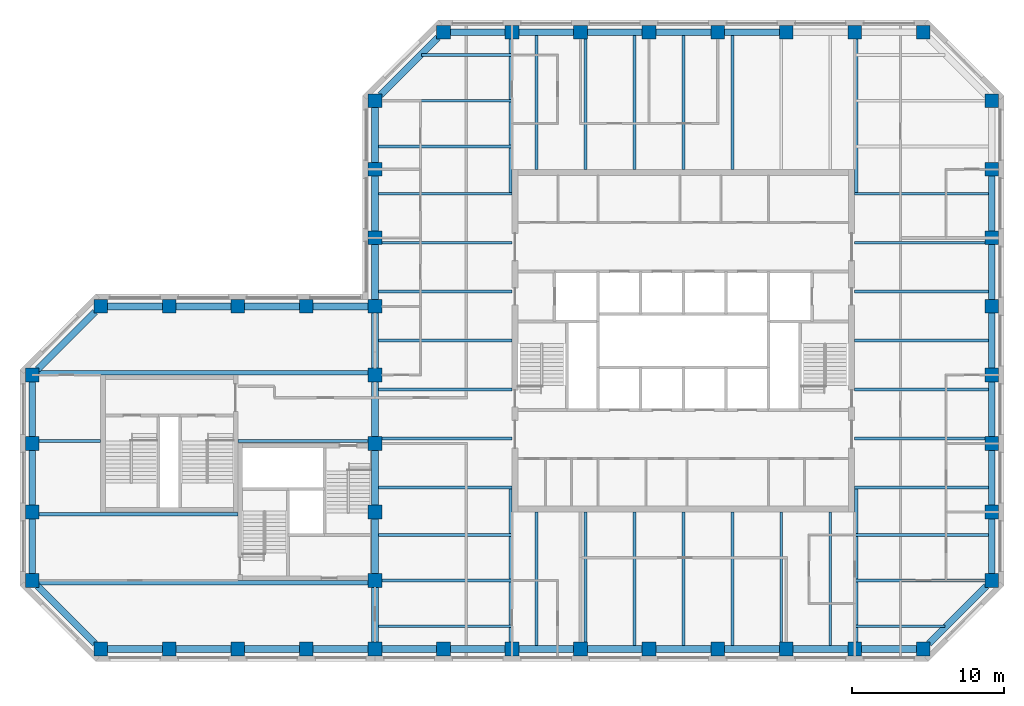
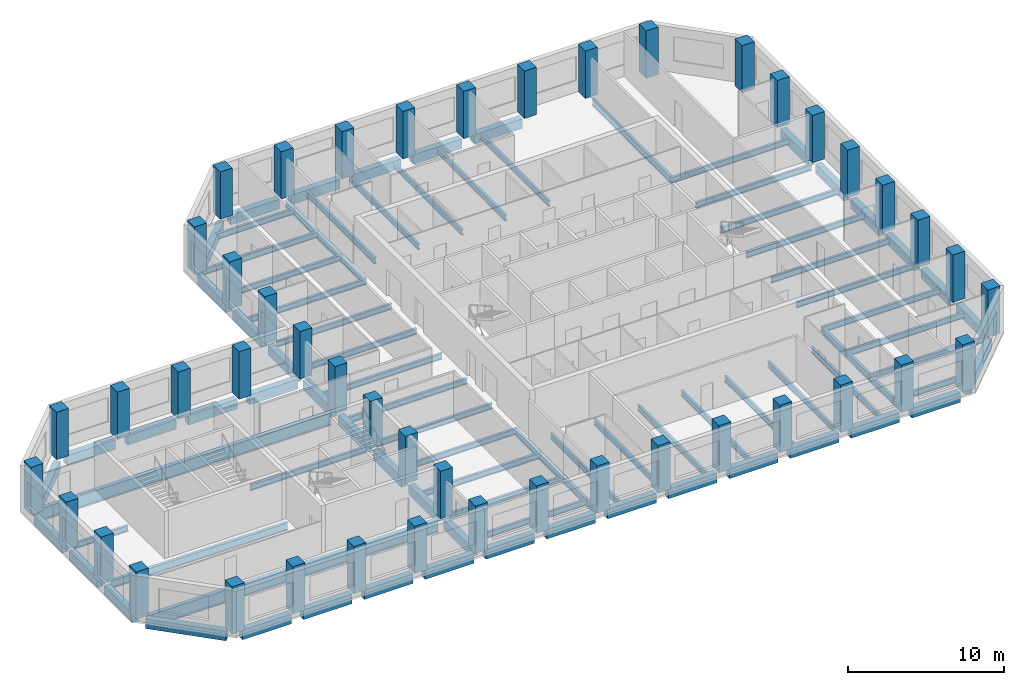
# One storey, part 1 of 10: 86 beams, 45 columns.
"""IFC4 building model written with IfcOpenShell, lengths in metres."""

from ifc_helpers import new_model, si_unit, direction, frame, origin, origin_2d, place, context, subcontext, project, spatial, rectangle, i_section, extrude, material, material_profile, profile_set, type_object, element, save


model = new_model("IFC4")

# Units and contexts
model_context = context("Model", 3, precision=1e-05, world=origin(), true_north=direction((0.0, 1.0)))
body_context = subcontext(model_context, "Body", "Model", "MODEL_VIEW")
ifc_project = project(units=[si_unit("LENGTHUNIT", "METRE"), si_unit("AREAUNIT", "SQUARE_METRE"), si_unit("VOLUMEUNIT", "CUBIC_METRE"), si_unit("PLANEANGLEUNIT", "RADIAN"), si_unit("MASSUNIT", "GRAM", prefix="KILO")], contexts=[model_context])

# Site, building, storey
site_placement = place(None, origin())
site = spatial("IfcSite", under=ifc_project, at=site_placement, CompositionType="ELEMENT")
building_placement = place(site_placement, origin())
building = spatial("IfcBuilding", under=site, at=building_placement, Name="Quoin Convention Tower", CompositionType="ELEMENT")
storey_placement = place(building_placement, frame((0.0, 0.0, 256.300048828125)))
storey = spatial("IfcBuildingStorey", under=building, at=storey_placement, Name="L67", CompositionType="ELEMENT", Elevation=256.300048828125)

# Columns
ifc_material_1 = material(Name="Concrete C50", Category="concrete")
ifc_material_profile_1 = material_profile(ifc_material_1, rectangle(XDim=0.89990234375, YDim=0.89990234375, at=origin_2d()), Name="RC 900x900")
ifc_profile_set_1 = profile_set([ifc_material_profile_1], Name="Concrete C50")
column_type = type_object("IfcColumnType", Name="RC 900x900 C50", PredefinedType="COLUMN", material=ifc_profile_set_1)
for number, where, z_axis, x_axis, name in (
    (1, (18.0, 40.5, 0.0), (0.0, 0.0, 1.0), (1.0, 0.0, 0.0), "col-L67-18000_40500"),
    (2, (22.5, 40.5, 0.0), (0.0, 0.0, 1.0), (1.0, 0.0, 0.0), "col-L67-22500_40500"),
    (3, (27.0, 40.5, 0.0), (0.0, 0.0, 1.0), (1.0, 0.0, 0.0), "col-L67-27000_40500"),
    (4, (31.5, 40.5, 0.0), (0.0, 0.0, 1.0), (1.0, 0.0, 0.0), "col-L67-31500_40500"),
    (5, (36.0, 40.5, 0.0), (0.0, 0.0, 1.0), (1.0, 0.0, 0.0), "col-L67-36000_40500"),
    (6, (40.5, 40.5, 0.0), (0.0, 0.0, 1.0), (1.0, 0.0, 0.0), "col-L67-40500_40500"),
    (7, (45.0, 40.5, 0.0), (0.0, 0.0, 1.0), (1.0, 0.0, 0.0), "col-L67-45000_40500"),
    (8, (49.5, 40.5, 0.0), (0.0, 0.0, 1.0), (1.0, 0.0, 0.0), "col-L67-49500_40500"),
    (9, (54.0, 40.5, 0.0), (0.0, 0.0, 1.0), (1.0, 0.0, 0.0), "col-L67-54000_40500"),
    (10, (58.5, 40.5, 0.0), (0.0, 0.0, 1.0), (1.0, 0.0, 0.0), "col-L67-58500_40500"),
    (11, (63.0, 40.5, 0.0), (0.0, 0.0, 1.0), (1.0, 0.0, 0.0), "col-L67-63000_40500"),
    (12, (67.5, 40.5, 0.0), (0.0, 0.0, 1.0), (1.0, 0.0, 0.0), "col-L67-67500_40500"),
    (13, (72.0, 40.5, 0.0), (0.0, 0.0, 1.0), (1.0, 0.0, 0.0), "col-L67-72000_40500"),
    (14, (13.5, 45.0, 0.0), (0.0, 0.0, 1.0), (1.0, 0.0, 0.0), "col-L67-13500_45000"),
    (15, (36.0, 45.0, 0.0), (0.0, 0.0, 1.0), (1.0, 0.0, 0.0), "web-L67-36000_45000"),
    (16, (76.5, 45.0, 0.0), (0.0, 0.0, 1.0), (1.0, 0.0, 0.0), "col-L67-76500_45000"),
    (17, (13.5, 49.5, 0.0), (0.0, 0.0, 1.0), (1.0, 0.0, 0.0), "col-L67-13500_49500"),
    (18, (36.0, 49.5, 0.0), (0.0, 0.0, 1.0), (1.0, 0.0, 0.0), "web-L67-36000_49500"),
    (19, (76.5, 49.5, 0.0), (0.0, 0.0, 1.0), (1.0, 0.0, 0.0), "col-L67-76500_49500"),
    (20, (13.5, 54.0, 0.0), (0.0, 0.0, 1.0), (1.0, 0.0, 0.0), "col-L67-13500_54000"),
    (21, (36.0, 54.0, 0.0), (0.0, 0.0, 1.0), (1.0, 0.0, 0.0), "web-L67-36000_54000"),
    (22, (76.5, 54.0, 0.0), (0.0, 0.0, 1.0), (1.0, 0.0, 0.0), "col-L67-76500_54000"),
    (23, (13.5, 58.5, 0.0), (0.0, 0.0, 1.0), (1.0, 0.0, 0.0), "col-L67-13500_58500"),
    (24, (36.0, 58.5, 0.0), (0.0, 0.0, 1.0), (1.0, 0.0, 0.0), "web-L67-36000_58500"),
    (25, (76.5, 58.5, 0.0), (0.0, 0.0, 1.0), (1.0, 0.0, 0.0), "col-L67-76500_58500"),
    (26, (18.0, 63.0, 0.0), (0.0, 0.0, 1.0), (1.0, 0.0, 0.0), "col-L67-18000_63000"),
    (27, (22.5, 63.0, 0.0), (0.0, 0.0, 1.0), (1.0, 0.0, 0.0), "col-L67-22500_63000"),
    (28, (27.0, 63.0, 0.0), (0.0, 0.0, 1.0), (1.0, 0.0, 0.0), "col-L67-27000_63000"),
    (29, (31.5, 63.0, 0.0), (0.0, 0.0, 1.0), (1.0, 0.0, 0.0), "col-L67-31500_63000"),
    (30, (36.0, 63.0, 0.0), (0.0, 0.0, 1.0), (1.0, 0.0, 0.0), "col-L67-36000_63000"),
    (31, (76.5, 63.0, 0.0), (0.0, 0.0, 1.0), (1.0, 0.0, 0.0), "col-L67-76500_63000"),
    (32, (36.0, 67.5, 0.0), (0.0, 0.0, 1.0), (1.0, 0.0, 0.0), "col-L67-36000_67500"),
    (33, (76.5, 67.5, 0.0), (0.0, 0.0, 1.0), (1.0, 0.0, 0.0), "col-L67-76500_67500"),
    (34, (36.0, 72.0, 0.0), (0.0, 0.0, 1.0), (1.0, 0.0, 0.0), "col-L67-36000_72000"),
    (35, (76.5, 72.0, 0.0), (0.0, 0.0, 1.0), (1.0, 0.0, 0.0), "col-L67-76500_72000"),
    (36, (36.0, 76.5, 0.0), (0.0, 0.0, 1.0), (1.0, 0.0, 0.0), "col-L67-36000_76500"),
    (37, (76.5, 76.5, 0.0), (0.0, 0.0, 1.0), (1.0, 0.0, 0.0), "col-L67-76500_76500"),
    (38, (40.5, 81.0, 0.0), (0.0, 0.0, 1.0), (1.0, 0.0, 0.0), "col-L67-40500_81000"),
    (39, (45.0, 81.0, 0.0), (0.0, 0.0, 1.0), (1.0, 0.0, 0.0), "col-L67-45000_81000"),
    (40, (49.5, 81.0, 0.0), (0.0, 0.0, 1.0), (1.0, 0.0, 0.0), "col-L67-49500_81000"),
    (41, (54.0, 81.0, 0.0), (0.0, 0.0, 1.0), (1.0, 0.0, 0.0), "col-L67-54000_81000"),
    (42, (58.5, 81.0, 0.0), (0.0, 0.0, 1.0), (1.0, 0.0, 0.0), "col-L67-58500_81000"),
    (43, (63.0, 81.0, 0.0), (0.0, 0.0, 1.0), (1.0, 0.0, 0.0), "col-L67-63000_81000"),
    (44, (67.5, 81.0, 0.0), (0.0, 0.0, 1.0), (1.0, 0.0, 0.0), "col-L67-67500_81000"),
    (45, (72.0, 81.0, 0.0), (0.0, 0.0, 1.0), (1.0, 0.0, 0.0), "col-L67-72000_81000"),
):
    element("IfcColumn", number, at=place(storey_placement, frame(where, z_axis=z_axis, x_axis=x_axis)), inside=storey, type_object=column_type, Name=name, PredefinedType="COLUMN", context=body_context, shape_type="SweptSolid", body=[
        extrude(rectangle(XDim=0.89990234375, YDim=0.89990234375, at=origin_2d()), origin(), (0.0, 0.0, 1.0), 3.699951171875),
    ])

# Beams
ifc_material_2 = material(Name="Steel Grade 300", Category="steel")
ifc_material_profile_2 = material_profile(ifc_material_2, i_section(OverallWidth=0.300048828125, OverallDepth=1.0, WebThickness=0.01611328125, FlangeThickness=0.02001953125, at=origin_2d()), Name="1000WB215")
ifc_profile_set_2 = profile_set([ifc_material_profile_2], Name="Steel Grade 300")
beam_type_1 = type_object("IfcBeamType", Name="1000WB215", PredefinedType="BEAM", material=ifc_profile_set_2)
for number, where, z_axis, x_axis, name in (
    (46, (13.949951171875, 44.85009765625, -0.650146484375), (1.0, 0.0, 0.0), (0.0, 1.0, 0.0), "gir-L67-ST2-1-0"),
    (47, (13.949951171875, 58.64990234375, -0.650146484375), (1.0, 0.0, 0.0), (0.0, 1.0, 0.0), "gir-L67-ST2-4-0"),
):
    element("IfcBeam", number, at=place(storey_placement, frame(where, z_axis=z_axis, x_axis=x_axis)), inside=storey, type_object=beam_type_1, Name=name, PredefinedType="BEAM", context=body_context, shape_type="SweptSolid", body=[
        extrude(i_section(OverallWidth=0.300048828125, OverallDepth=1.0, WebThickness=0.01611328125, FlangeThickness=0.02001953125, at=origin_2d()), origin(), (0.0, 0.0, 1.0), 21.60009765625),
    ])
ifc_material_profile_3 = material_profile(ifc_material_2, i_section(OverallWidth=0.18994140625, OverallDepth=0.4541015625, WebThickness=0.008544921875, FlangeThickness=0.0126953125, FilletRadius=0.011474609375, at=origin_2d()), Name="460UB67.1")
ifc_profile_set_3 = profile_set([ifc_material_profile_3], Name="Steel Grade 300")
beam_type_2 = type_object("IfcBeamType", Name="460UB67.1", PredefinedType="BEAM", material=ifc_profile_set_3)
beam_1_placement = place(storey_placement, frame((36.22509765625, 51.107177734375, -0.376953125), z_axis=(1.0, 0.0, 0.0), x_axis=(0.0, 1.0, 0.0)))
element("IfcBeam", 48, at=beam_1_placement, inside=storey, type_object=beam_type_2, Name="bm-L67-T1W0", PredefinedType="BEAM", context=body_context, shape_type="SweptSolid", body=[
    extrude(i_section(OverallWidth=0.18994140625, OverallDepth=0.4541015625, WebThickness=0.008544921875, FlangeThickness=0.0126953125, FilletRadius=0.011474609375, at=origin_2d()), origin(), (0.0, 0.0, 1.0), 8.77490234375),
])
beam_2_placement = place(storey_placement, frame((36.449951171875, 54.3212890625, -0.376953125), z_axis=(1.0, 0.0, 0.0), x_axis=(0.0, 1.0, 0.0)))
element("IfcBeam", 49, at=beam_2_placement, inside=storey, type_object=beam_type_2, Name="bm-L67-T1W1", PredefinedType="BEAM", context=body_context, shape_type="SweptSolid", body=[
    extrude(i_section(OverallWidth=0.18994140625, OverallDepth=0.4541015625, WebThickness=0.008544921875, FlangeThickness=0.0126953125, FilletRadius=0.011474609375, at=origin_2d()), origin(), (0.0, 0.0, 1.0), 8.550048828125),
])
for number, where, z_axis, x_axis, name in (
    (50, (36.22509765625, 57.53564453125, -0.376953125), (1.0, 0.0, 0.0), (0.0, 1.0, 0.0), "bm-L67-T1W2"),
    (51, (36.22509765625, 60.75, -0.376953125), (1.0, 0.0, 0.0), (0.0, 1.0, 0.0), "bm-L67-T1W3"),
    (52, (36.22509765625, 63.96435546875, -0.376953125), (1.0, 0.0, 0.0), (0.0, 1.0, 0.0), "bm-L67-T1W4"),
):
    element("IfcBeam", number, at=place(storey_placement, frame(where, z_axis=z_axis, x_axis=x_axis)), inside=storey, type_object=beam_type_2, Name=name, PredefinedType="BEAM", context=body_context, shape_type="SweptSolid", body=[
        extrude(i_section(OverallWidth=0.18994140625, OverallDepth=0.4541015625, WebThickness=0.008544921875, FlangeThickness=0.0126953125, FilletRadius=0.011474609375, at=origin_2d()), origin(), (0.0, 0.0, 1.0), 8.77490234375),
    ])
beam_3_placement = place(storey_placement, frame((36.449951171875, 67.1787109375, -0.376953125), z_axis=(1.0, 0.0, 0.0), x_axis=(0.0, 1.0, 0.0)))
element("IfcBeam", 53, at=beam_3_placement, inside=storey, type_object=beam_type_2, Name="bm-L67-T1W5", PredefinedType="BEAM", context=body_context, shape_type="SweptSolid", body=[
    extrude(i_section(OverallWidth=0.18994140625, OverallDepth=0.4541015625, WebThickness=0.008544921875, FlangeThickness=0.0126953125, FilletRadius=0.011474609375, at=origin_2d()), origin(), (0.0, 0.0, 1.0), 8.550048828125),
])
for number, where, z_axis, x_axis, name in (
    (54, (36.22509765625, 70.392822265625, -0.376953125), (1.0, 0.0, 0.0), (0.0, 1.0, 0.0), "bm-L67-T1W6"),
    (55, (67.5, 51.107177734375, -0.376953125), (1.0, 0.0, 0.0), (0.0, 1.0, 0.0), "bm-L67-T1E0"),
):
    element("IfcBeam", number, at=place(storey_placement, frame(where, z_axis=z_axis, x_axis=x_axis)), inside=storey, type_object=beam_type_2, Name=name, PredefinedType="BEAM", context=body_context, shape_type="SweptSolid", body=[
        extrude(i_section(OverallWidth=0.18994140625, OverallDepth=0.4541015625, WebThickness=0.008544921875, FlangeThickness=0.0126953125, FilletRadius=0.011474609375, at=origin_2d()), origin(), (0.0, 0.0, 1.0), 8.77490234375),
    ])
beam_4_placement = place(storey_placement, frame((67.5, 54.3212890625, -0.376953125), z_axis=(1.0, 0.0, 0.0), x_axis=(0.0, 1.0, 0.0)))
element("IfcBeam", 56, at=beam_4_placement, inside=storey, type_object=beam_type_2, Name="bm-L67-T1E1", PredefinedType="BEAM", context=body_context, shape_type="SweptSolid", body=[
    extrude(i_section(OverallWidth=0.18994140625, OverallDepth=0.4541015625, WebThickness=0.008544921875, FlangeThickness=0.0126953125, FilletRadius=0.011474609375, at=origin_2d()), origin(), (0.0, 0.0, 1.0), 8.550048828125),
])
for number, where, z_axis, x_axis, name in (
    (57, (67.5, 57.53564453125, -0.376953125), (1.0, 0.0, 0.0), (0.0, 1.0, 0.0), "bm-L67-T1E2"),
    (58, (67.5, 60.75, -0.376953125), (1.0, 0.0, 0.0), (0.0, 1.0, 0.0), "bm-L67-T1E3"),
    (59, (67.5, 63.96435546875, -0.376953125), (1.0, 0.0, 0.0), (0.0, 1.0, 0.0), "bm-L67-T1E4"),
):
    element("IfcBeam", number, at=place(storey_placement, frame(where, z_axis=z_axis, x_axis=x_axis)), inside=storey, type_object=beam_type_2, Name=name, PredefinedType="BEAM", context=body_context, shape_type="SweptSolid", body=[
        extrude(i_section(OverallWidth=0.18994140625, OverallDepth=0.4541015625, WebThickness=0.008544921875, FlangeThickness=0.0126953125, FilletRadius=0.011474609375, at=origin_2d()), origin(), (0.0, 0.0, 1.0), 8.77490234375),
    ])
beam_5_placement = place(storey_placement, frame((67.5, 67.1787109375, -0.376953125), z_axis=(1.0, 0.0, 0.0), x_axis=(0.0, 1.0, 0.0)))
element("IfcBeam", 60, at=beam_5_placement, inside=storey, type_object=beam_type_2, Name="bm-L67-T1E5", PredefinedType="BEAM", context=body_context, shape_type="SweptSolid", body=[
    extrude(i_section(OverallWidth=0.18994140625, OverallDepth=0.4541015625, WebThickness=0.008544921875, FlangeThickness=0.0126953125, FilletRadius=0.011474609375, at=origin_2d()), origin(), (0.0, 0.0, 1.0), 8.550048828125),
])
for number, where, z_axis, x_axis, name in (
    (61, (67.5, 70.392822265625, -0.376953125), (1.0, 0.0, 0.0), (0.0, 1.0, 0.0), "bm-L67-T1E6"),
    (62, (46.607177734375, 40.72509765625, -0.376953125), (0.0, 1.0, 0.0), (-1.0, 0.0, 0.0), "bm-L67-T1S0"),
):
    element("IfcBeam", number, at=place(storey_placement, frame(where, z_axis=z_axis, x_axis=x_axis)), inside=storey, type_object=beam_type_2, Name=name, PredefinedType="BEAM", context=body_context, shape_type="SweptSolid", body=[
        extrude(i_section(OverallWidth=0.18994140625, OverallDepth=0.4541015625, WebThickness=0.008544921875, FlangeThickness=0.0126953125, FilletRadius=0.011474609375, at=origin_2d()), origin(), (0.0, 0.0, 1.0), 8.77490234375),
    ])
beam_6_placement = place(storey_placement, frame((49.8212890625, 40.949951171875, -0.376953125), z_axis=(0.0, 1.0, 0.0), x_axis=(-1.0, 0.0, 0.0)))
element("IfcBeam", 63, at=beam_6_placement, inside=storey, type_object=beam_type_2, Name="bm-L67-T1S1", PredefinedType="BEAM", context=body_context, shape_type="SweptSolid", body=[
    extrude(i_section(OverallWidth=0.18994140625, OverallDepth=0.4541015625, WebThickness=0.008544921875, FlangeThickness=0.0126953125, FilletRadius=0.011474609375, at=origin_2d()), origin(), (0.0, 0.0, 1.0), 8.550048828125),
])
for number, where, z_axis, x_axis, name in (
    (64, (53.03564453125, 40.72509765625, -0.376953125), (0.0, 1.0, 0.0), (-1.0, 0.0, 0.0), "bm-L67-T1S2"),
    (65, (56.25, 40.72509765625, -0.376953125), (0.0, 1.0, 0.0), (-1.0, 0.0, 0.0), "bm-L67-T1S3"),
    (66, (59.46435546875, 40.72509765625, -0.376953125), (0.0, 1.0, 0.0), (-1.0, 0.0, 0.0), "bm-L67-T1S4"),
):
    element("IfcBeam", number, at=place(storey_placement, frame(where, z_axis=z_axis, x_axis=x_axis)), inside=storey, type_object=beam_type_2, Name=name, PredefinedType="BEAM", context=body_context, shape_type="SweptSolid", body=[
        extrude(i_section(OverallWidth=0.18994140625, OverallDepth=0.4541015625, WebThickness=0.008544921875, FlangeThickness=0.0126953125, FilletRadius=0.011474609375, at=origin_2d()), origin(), (0.0, 0.0, 1.0), 8.77490234375),
    ])
beam_7_placement = place(storey_placement, frame((62.6787109375, 40.949951171875, -0.376953125), z_axis=(0.0, 1.0, 0.0), x_axis=(-1.0, 0.0, 0.0)))
element("IfcBeam", 67, at=beam_7_placement, inside=storey, type_object=beam_type_2, Name="bm-L67-T1S5", PredefinedType="BEAM", context=body_context, shape_type="SweptSolid", body=[
    extrude(i_section(OverallWidth=0.18994140625, OverallDepth=0.4541015625, WebThickness=0.008544921875, FlangeThickness=0.0126953125, FilletRadius=0.011474609375, at=origin_2d()), origin(), (0.0, 0.0, 1.0), 8.550048828125),
])
for number, where, z_axis, x_axis, name in (
    (68, (65.892822265625, 40.72509765625, -0.376953125), (0.0, 1.0, 0.0), (-1.0, 0.0, 0.0), "bm-L67-T1S6"),
    (69, (46.607177734375, 72.0, -0.376953125), (0.0, 1.0, 0.0), (-1.0, 0.0, 0.0), "bm-L67-T1N0"),
):
    element("IfcBeam", number, at=place(storey_placement, frame(where, z_axis=z_axis, x_axis=x_axis)), inside=storey, type_object=beam_type_2, Name=name, PredefinedType="BEAM", context=body_context, shape_type="SweptSolid", body=[
        extrude(i_section(OverallWidth=0.18994140625, OverallDepth=0.4541015625, WebThickness=0.008544921875, FlangeThickness=0.0126953125, FilletRadius=0.011474609375, at=origin_2d()), origin(), (0.0, 0.0, 1.0), 8.77490234375),
    ])
beam_8_placement = place(storey_placement, frame((49.8212890625, 72.0, -0.376953125), z_axis=(0.0, 1.0, 0.0), x_axis=(-1.0, 0.0, 0.0)))
element("IfcBeam", 70, at=beam_8_placement, inside=storey, type_object=beam_type_2, Name="bm-L67-T1N1", PredefinedType="BEAM", context=body_context, shape_type="SweptSolid", body=[
    extrude(i_section(OverallWidth=0.18994140625, OverallDepth=0.4541015625, WebThickness=0.008544921875, FlangeThickness=0.0126953125, FilletRadius=0.011474609375, at=origin_2d()), origin(), (0.0, 0.0, 1.0), 8.550048828125),
])
for number, where, z_axis, x_axis, name in (
    (71, (53.03564453125, 72.0, -0.376953125), (0.0, 1.0, 0.0), (-1.0, 0.0, 0.0), "bm-L67-T1N2"),
    (72, (56.25, 72.0, -0.376953125), (0.0, 1.0, 0.0), (-1.0, 0.0, 0.0), "bm-L67-T1N3"),
    (73, (59.46435546875, 72.0, -0.376953125), (0.0, 1.0, 0.0), (-1.0, 0.0, 0.0), "bm-L67-T1N4"),
    (74, (36.22509765625, 42.0, -0.376953125), (1.0, 0.0, 0.0), (0.0, 1.0, 0.0), "bm-L67-T1SW0"),
):
    element("IfcBeam", number, at=place(storey_placement, frame(where, z_axis=z_axis, x_axis=x_axis)), inside=storey, type_object=beam_type_2, Name=name, PredefinedType="BEAM", context=body_context, shape_type="SweptSolid", body=[
        extrude(i_section(OverallWidth=0.18994140625, OverallDepth=0.4541015625, WebThickness=0.008544921875, FlangeThickness=0.0126953125, FilletRadius=0.011474609375, at=origin_2d()), origin(), (0.0, 0.0, 1.0), 8.77490234375),
    ])
beam_9_placement = place(storey_placement, frame((36.449951171875, 45.0, -0.376953125), z_axis=(1.0, 0.0, 0.0), x_axis=(0.0, 1.0, 0.0)))
element("IfcBeam", 75, at=beam_9_placement, inside=storey, type_object=beam_type_2, Name="bm-L67-T1SW1", PredefinedType="BEAM", context=body_context, shape_type="SweptSolid", body=[
    extrude(i_section(OverallWidth=0.18994140625, OverallDepth=0.4541015625, WebThickness=0.008544921875, FlangeThickness=0.0126953125, FilletRadius=0.011474609375, at=origin_2d()), origin(), (0.0, 0.0, 1.0), 8.550048828125),
])
beam_10_placement = place(storey_placement, frame((36.22509765625, 48.0, -0.376953125), z_axis=(1.0, 0.0, 0.0), x_axis=(0.0, 1.0, 0.0)))
element("IfcBeam", 76, at=beam_10_placement, inside=storey, type_object=beam_type_2, Name="bm-L67-T1SW2", PredefinedType="BEAM", context=body_context, shape_type="SweptSolid", body=[
    extrude(i_section(OverallWidth=0.18994140625, OverallDepth=0.4541015625, WebThickness=0.008544921875, FlangeThickness=0.0126953125, FilletRadius=0.011474609375, at=origin_2d()), origin(), (0.0, 0.0, 1.0), 8.77490234375),
])
beam_11_placement = place(storey_placement, frame((67.5, 42.0, -0.376953125), z_axis=(1.0, 0.0, 0.0), x_axis=(0.0, 1.0, 0.0)))
element("IfcBeam", 77, at=beam_11_placement, inside=storey, type_object=beam_type_2, Name="bm-L67-T1SE0", PredefinedType="BEAM", context=body_context, shape_type="SweptSolid", body=[
    extrude(i_section(OverallWidth=0.18994140625, OverallDepth=0.4541015625, WebThickness=0.008544921875, FlangeThickness=0.0126953125, FilletRadius=0.011474609375, at=origin_2d()), origin(), (0.0, 0.0, 1.0), 5.935791015625),
])
beam_12_placement = place(storey_placement, frame((67.5, 45.0, -0.376953125), z_axis=(1.0, 0.0, 0.0), x_axis=(0.0, 1.0, 0.0)))
element("IfcBeam", 78, at=beam_12_placement, inside=storey, type_object=beam_type_2, Name="bm-L67-T1SE1", PredefinedType="BEAM", context=body_context, shape_type="SweptSolid", body=[
    extrude(i_section(OverallWidth=0.18994140625, OverallDepth=0.4541015625, WebThickness=0.008544921875, FlangeThickness=0.0126953125, FilletRadius=0.011474609375, at=origin_2d()), origin(), (0.0, 0.0, 1.0), 8.550048828125),
])
beam_13_placement = place(storey_placement, frame((67.5, 48.0, -0.376953125), z_axis=(1.0, 0.0, 0.0), x_axis=(0.0, 1.0, 0.0)))
element("IfcBeam", 79, at=beam_13_placement, inside=storey, type_object=beam_type_2, Name="bm-L67-T1SE2", PredefinedType="BEAM", context=body_context, shape_type="SweptSolid", body=[
    extrude(i_section(OverallWidth=0.18994140625, OverallDepth=0.4541015625, WebThickness=0.008544921875, FlangeThickness=0.0126953125, FilletRadius=0.011474609375, at=origin_2d()), origin(), (0.0, 0.0, 1.0), 8.77490234375),
])
beam_14_placement = place(storey_placement, frame((39.064208984375, 79.5, -0.376953125), z_axis=(1.0, 0.0, 0.0), x_axis=(0.0, 1.0, 0.0)))
element("IfcBeam", 80, at=beam_14_placement, inside=storey, type_object=beam_type_2, Name="bm-L67-T1NW0", PredefinedType="BEAM", context=body_context, shape_type="SweptSolid", body=[
    extrude(i_section(OverallWidth=0.18994140625, OverallDepth=0.4541015625, WebThickness=0.008544921875, FlangeThickness=0.0126953125, FilletRadius=0.011474609375, at=origin_2d()), origin(), (0.0, 0.0, 1.0), 5.935791015625),
])
beam_15_placement = place(storey_placement, frame((36.449951171875, 76.5, -0.376953125), z_axis=(1.0, 0.0, 0.0), x_axis=(0.0, 1.0, 0.0)))
element("IfcBeam", 81, at=beam_15_placement, inside=storey, type_object=beam_type_2, Name="bm-L67-T1NW1", PredefinedType="BEAM", context=body_context, shape_type="SweptSolid", body=[
    extrude(i_section(OverallWidth=0.18994140625, OverallDepth=0.4541015625, WebThickness=0.008544921875, FlangeThickness=0.0126953125, FilletRadius=0.011474609375, at=origin_2d()), origin(), (0.0, 0.0, 1.0), 8.550048828125),
])
beam_16_placement = place(storey_placement, frame((36.22509765625, 73.5, -0.376953125), z_axis=(1.0, 0.0, 0.0), x_axis=(0.0, 1.0, 0.0)))
element("IfcBeam", 82, at=beam_16_placement, inside=storey, type_object=beam_type_2, Name="bm-L67-T1NW2", PredefinedType="BEAM", context=body_context, shape_type="SweptSolid", body=[
    extrude(i_section(OverallWidth=0.18994140625, OverallDepth=0.4541015625, WebThickness=0.008544921875, FlangeThickness=0.0126953125, FilletRadius=0.011474609375, at=origin_2d()), origin(), (0.0, 0.0, 1.0), 8.77490234375),
])
beam_17_placement = place(storey_placement, frame((13.949951171875, 54.14990234375, -0.376953125), z_axis=(1.0, 0.0, 0.0), x_axis=(0.0, 1.0, 0.0)))
element("IfcBeam", 83, at=beam_17_placement, inside=storey, type_object=beam_type_2, Name="gir-L67-ST2-3-0", PredefinedType="BEAM", context=body_context, shape_type="SweptSolid", body=[
    extrude(i_section(OverallWidth=0.18994140625, OverallDepth=0.4541015625, WebThickness=0.008544921875, FlangeThickness=0.0126953125, FilletRadius=0.011474609375, at=origin_2d()), origin(), (0.0, 0.0, 1.0), 4.050048828125),
])
beam_18_placement = place(storey_placement, frame((27.0, 54.14990234375, -0.376953125), z_axis=(1.0, 0.0, 0.0), x_axis=(0.0, 1.0, 0.0)))
element("IfcBeam", 84, at=beam_18_placement, inside=storey, type_object=beam_type_2, Name="gir-L67-ST2-3-1", PredefinedType="BEAM", context=body_context, shape_type="SweptSolid", body=[
    extrude(i_section(OverallWidth=0.18994140625, OverallDepth=0.4541015625, WebThickness=0.008544921875, FlangeThickness=0.0126953125, FilletRadius=0.011474609375, at=origin_2d()), origin(), (0.0, 0.0, 1.0), 8.550048828125),
])
ifc_material_profile_4 = material_profile(ifc_material_2, i_section(OverallWidth=0.208984375, OverallDepth=0.528076171875, WebThickness=0.009521484375, FlangeThickness=0.01318359375, FilletRadius=0.013916015625, at=origin_2d()), Name="530UB82.0")
ifc_profile_set_4 = profile_set([ifc_material_profile_4], Name="Steel Grade 300")
beam_type_3 = type_object("IfcBeamType", Name="530UB82.0", PredefinedType="BEAM", material=ifc_profile_set_4)
for number, where, z_axis, x_axis, name in (
    (85, (44.904541015625, 40.949951171875, -0.4140625), (0.0, 1.0, 0.0), (-1.0, 0.0, 0.0), "gir-L67-T1SW"),
    (86, (67.595458984375, 40.949951171875, -0.4140625), (0.0, 1.0, 0.0), (-1.0, 0.0, 0.0), "gir-L67-T1SE"),
    (87, (44.904541015625, 80.550048828125, -0.4140625), (0.0, -1.0, 0.0), (1.0, 0.0, 0.0), "gir-L67-T1NW"),
    (88, (67.595458984375, 80.550048828125, -0.4140625), (0.0, -1.0, 0.0), (1.0, 0.0, 0.0), "gir-L67-T1NE"),
):
    element("IfcBeam", number, at=place(storey_placement, frame(where, z_axis=z_axis, x_axis=x_axis)), inside=storey, type_object=beam_type_3, Name=name, PredefinedType="BEAM", context=body_context, shape_type="SweptSolid", body=[
        extrude(i_section(OverallWidth=0.208984375, OverallDepth=0.528076171875, WebThickness=0.009521484375, FlangeThickness=0.01318359375, FilletRadius=0.013916015625, at=origin_2d()), origin(), (0.0, 0.0, 1.0), 10.062255859375),
    ])
ifc_material_profile_5 = material_profile(ifc_material_2, i_section(OverallWidth=0.22802734375, OverallDepth=0.60205078125, WebThickness=0.010498046875, FlangeThickness=0.014892578125, FilletRadius=0.013916015625, at=origin_2d()), Name="610UB101")
ifc_profile_set_5 = profile_set([ifc_material_profile_5], Name="Steel Grade 300")
beam_type_4 = type_object("IfcBeamType", Name="610UB101", PredefinedType="BEAM", material=ifc_profile_set_5)
beam_19_placement = place(storey_placement, frame((13.949951171875, 49.35009765625, -0.450927734375), z_axis=(1.0, 0.0, 0.0), x_axis=(0.0, 1.0, 0.0)))
element("IfcBeam", 89, at=beam_19_placement, inside=storey, type_object=beam_type_4, Name="gir-L67-ST2-2-0", PredefinedType="BEAM", context=body_context, shape_type="SweptSolid", body=[
    extrude(i_section(OverallWidth=0.22802734375, OverallDepth=0.60205078125, WebThickness=0.010498046875, FlangeThickness=0.014892578125, FilletRadius=0.013916015625, at=origin_2d()), origin(), (0.0, 0.0, 1.0), 13.050048828125),
])
ifc_material_profile_6 = material_profile(ifc_material_1, rectangle(XDim=0.449951171875, YDim=0.75, at=origin_2d()), Name="RC 450x750")
ifc_profile_set_6 = profile_set([ifc_material_profile_6], Name="Concrete C50")
beam_type_5 = type_object("IfcBeamType", Name="RC 450x750 C50", PredefinedType="SPANDREL", material=ifc_profile_set_6)
for number, where, z_axis, x_axis, name in (
    (90, (36.449951171875, 40.5, -0.525146484375), (1.0, 0.0, 0.0), (0.0, 1.0, 0.0), "spd-L67-36000_40500-40500_40500"),
    (91, (40.949951171875, 40.5, -0.525146484375), (1.0, 0.0, 0.0), (0.0, 1.0, 0.0), "spd-L67-40500_40500-45000_40500"),
    (92, (45.449951171875, 40.5, -0.525146484375), (1.0, 0.0, 0.0), (0.0, 1.0, 0.0), "spd-L67-45000_40500-49500_40500"),
    (93, (49.949951171875, 40.5, -0.525146484375), (1.0, 0.0, 0.0), (0.0, 1.0, 0.0), "spd-L67-49500_40500-54000_40500"),
    (94, (54.449951171875, 40.5, -0.525146484375), (1.0, 0.0, 0.0), (0.0, 1.0, 0.0), "spd-L67-54000_40500-58500_40500"),
    (95, (58.949951171875, 40.5, -0.525146484375), (1.0, 0.0, 0.0), (0.0, 1.0, 0.0), "spd-L67-58500_40500-63000_40500"),
    (96, (63.449951171875, 40.5, -0.525146484375), (1.0, 0.0, 0.0), (0.0, 1.0, 0.0), "spd-L67-63000_40500-67500_40500"),
    (97, (67.949951171875, 40.5, -0.525146484375), (1.0, 0.0, 0.0), (0.0, 1.0, 0.0), "spd-L67-67500_40500-72000_40500"),
):
    element("IfcBeam", number, at=place(storey_placement, frame(where, z_axis=z_axis, x_axis=x_axis)), inside=storey, type_object=beam_type_5, Name=name, PredefinedType="SPANDREL", context=body_context, shape_type="SweptSolid", body=[
        extrude(rectangle(XDim=0.449951171875, YDim=0.75, at=origin_2d()), origin(), (0.0, 0.0, 1.0), 3.60009765625),
    ])
beam_20_placement = place(storey_placement, frame((72.364990234375, 40.864990234375, -0.525146484375), z_axis=(0.707106781187, 0.707106781187, 0.0), x_axis=(-0.707106781187, 0.707106781187, 0.0)))
element("IfcBeam", 98, at=beam_20_placement, inside=storey, type_object=beam_type_5, Name="spd-L67-72000_40500-76500_45000", PredefinedType="SPANDREL", context=body_context, shape_type="SweptSolid", body=[
    extrude(rectangle(XDim=0.449951171875, YDim=0.75, at=origin_2d()), origin(), (0.0, 0.0, 1.0), 5.33154296875),
])
for number, where, z_axis, x_axis, name in (
    (99, (76.5, 45.449951171875, -0.525146484375), (0.0, 1.0, 0.0), (-1.0, 0.0, 0.0), "spd-L67-76500_45000-76500_49500"),
    (100, (76.5, 49.949951171875, -0.525146484375), (0.0, 1.0, 0.0), (-1.0, 0.0, 0.0), "spd-L67-76500_49500-76500_54000"),
    (101, (76.5, 54.449951171875, -0.525146484375), (0.0, 1.0, 0.0), (-1.0, 0.0, 0.0), "spd-L67-76500_54000-76500_58500"),
    (102, (76.5, 58.949951171875, -0.525146484375), (0.0, 1.0, 0.0), (-1.0, 0.0, 0.0), "spd-L67-76500_58500-76500_63000"),
    (103, (76.5, 63.449951171875, -0.525146484375), (0.0, 1.0, 0.0), (-1.0, 0.0, 0.0), "spd-L67-76500_63000-76500_67500"),
    (104, (76.5, 67.949951171875, -0.525146484375), (0.0, 1.0, 0.0), (-1.0, 0.0, 0.0), "spd-L67-76500_67500-76500_72000"),
    (105, (62.550048828125, 81.0, -0.525146484375), (-1.0, 0.0, 0.0), (0.0, -1.0, 0.0), "spd-L67-63000_81000-58500_81000"),
    (106, (58.050048828125, 81.0, -0.525146484375), (-1.0, 0.0, 0.0), (0.0, -1.0, 0.0), "spd-L67-58500_81000-54000_81000"),
    (107, (53.550048828125, 81.0, -0.525146484375), (-1.0, 0.0, 0.0), (0.0, -1.0, 0.0), "spd-L67-54000_81000-49500_81000"),
    (108, (49.050048828125, 81.0, -0.525146484375), (-1.0, 0.0, 0.0), (0.0, -1.0, 0.0), "spd-L67-49500_81000-45000_81000"),
    (109, (44.550048828125, 81.0, -0.525146484375), (-1.0, 0.0, 0.0), (0.0, -1.0, 0.0), "spd-L67-45000_81000-40500_81000"),
):
    element("IfcBeam", number, at=place(storey_placement, frame(where, z_axis=z_axis, x_axis=x_axis)), inside=storey, type_object=beam_type_5, Name=name, PredefinedType="SPANDREL", context=body_context, shape_type="SweptSolid", body=[
        extrude(rectangle(XDim=0.449951171875, YDim=0.75, at=origin_2d()), origin(), (0.0, 0.0, 1.0), 3.60009765625),
    ])
beam_21_placement = place(storey_placement, frame((40.135009765625, 80.635009765625, -0.525146484375), z_axis=(-0.707106781187, -0.707106781187, 0.0), x_axis=(0.707106781187, -0.707106781187, 0.0)))
element("IfcBeam", 110, at=beam_21_placement, inside=storey, type_object=beam_type_5, Name="spd-L67-40500_81000-36000_76500", PredefinedType="SPANDREL", context=body_context, shape_type="SweptSolid", body=[
    extrude(rectangle(XDim=0.449951171875, YDim=0.75, at=origin_2d()), origin(), (0.0, 0.0, 1.0), 5.33154296875),
])
for number, where, z_axis, x_axis, name in (
    (111, (36.0, 76.050048828125, -0.525146484375), (0.0, -1.0, 0.0), (1.0, 0.0, 0.0), "spd-L67-36000_76500-36000_72000"),
    (112, (36.0, 71.550048828125, -0.525146484375), (0.0, -1.0, 0.0), (1.0, 0.0, 0.0), "spd-L67-36000_72000-36000_67500"),
    (113, (36.0, 67.050048828125, -0.525146484375), (0.0, -1.0, 0.0), (1.0, 0.0, 0.0), "spd-L67-36000_67500-36000_63000"),
    (114, (35.550048828125, 63.0, -0.525146484375), (-1.0, 0.0, 0.0), (0.0, -1.0, 0.0), "spd-L67-36000_63000-31500_63000"),
    (115, (31.050048828125, 63.0, -0.525146484375), (-1.0, 0.0, 0.0), (0.0, -1.0, 0.0), "spd-L67-31500_63000-27000_63000"),
    (116, (26.550048828125, 63.0, -0.525146484375), (-1.0, 0.0, 0.0), (0.0, -1.0, 0.0), "spd-L67-27000_63000-22500_63000"),
    (117, (22.050048828125, 63.0, -0.525146484375), (-1.0, 0.0, 0.0), (0.0, -1.0, 0.0), "spd-L67-22500_63000-18000_63000"),
):
    element("IfcBeam", number, at=place(storey_placement, frame(where, z_axis=z_axis, x_axis=x_axis)), inside=storey, type_object=beam_type_5, Name=name, PredefinedType="SPANDREL", context=body_context, shape_type="SweptSolid", body=[
        extrude(rectangle(XDim=0.449951171875, YDim=0.75, at=origin_2d()), origin(), (0.0, 0.0, 1.0), 3.60009765625),
    ])
beam_22_placement = place(storey_placement, frame((17.635009765625, 62.635009765625, -0.525146484375), z_axis=(-0.707106781187, -0.707106781187, 0.0), x_axis=(0.707106781187, -0.707106781187, 0.0)))
element("IfcBeam", 118, at=beam_22_placement, inside=storey, type_object=beam_type_5, Name="spd-L67-18000_63000-13500_58500", PredefinedType="SPANDREL", context=body_context, shape_type="SweptSolid", body=[
    extrude(rectangle(XDim=0.449951171875, YDim=0.75, at=origin_2d()), origin(), (0.0, 0.0, 1.0), 5.33154296875),
])
for number, where, z_axis, x_axis, name in (
    (119, (13.5, 58.050048828125, -0.525146484375), (0.0, -1.0, 0.0), (1.0, 0.0, 0.0), "spd-L67-13500_58500-13500_54000"),
    (120, (13.5, 53.550048828125, -0.525146484375), (0.0, -1.0, 0.0), (1.0, 0.0, 0.0), "spd-L67-13500_54000-13500_49500"),
    (121, (13.5, 49.050048828125, -0.525146484375), (0.0, -1.0, 0.0), (1.0, 0.0, 0.0), "spd-L67-13500_49500-13500_45000"),
):
    element("IfcBeam", number, at=place(storey_placement, frame(where, z_axis=z_axis, x_axis=x_axis)), inside=storey, type_object=beam_type_5, Name=name, PredefinedType="SPANDREL", context=body_context, shape_type="SweptSolid", body=[
        extrude(rectangle(XDim=0.449951171875, YDim=0.75, at=origin_2d()), origin(), (0.0, 0.0, 1.0), 3.60009765625),
    ])
beam_23_placement = place(storey_placement, frame((13.864990234375, 44.635009765625, -0.525146484375), z_axis=(0.707106781187, -0.707106781187, 0.0), x_axis=(0.707106781187, 0.707106781187, 0.0)))
element("IfcBeam", 122, at=beam_23_placement, inside=storey, type_object=beam_type_5, Name="spd-L67-13500_45000-18000_40500", PredefinedType="SPANDREL", context=body_context, shape_type="SweptSolid", body=[
    extrude(rectangle(XDim=0.449951171875, YDim=0.75, at=origin_2d()), origin(), (0.0, 0.0, 1.0), 5.33154296875),
])
for number, where, z_axis, x_axis, name in (
    (123, (18.449951171875, 40.5, -0.525146484375), (1.0, 0.0, 0.0), (0.0, 1.0, 0.0), "spd-L67-18000_40500-22500_40500"),
    (124, (22.949951171875, 40.5, -0.525146484375), (1.0, 0.0, 0.0), (0.0, 1.0, 0.0), "spd-L67-22500_40500-27000_40500"),
    (125, (27.449951171875, 40.5, -0.525146484375), (1.0, 0.0, 0.0), (0.0, 1.0, 0.0), "spd-L67-27000_40500-31500_40500"),
    (126, (31.949951171875, 40.5, -0.525146484375), (1.0, 0.0, 0.0), (0.0, 1.0, 0.0), "spd-L67-31500_40500-36000_40500"),
    (127, (36.0, 40.949951171875, -0.525146484375), (0.0, 1.0, 0.0), (-1.0, 0.0, 0.0), "spd-L67-36000_40500-36000_45000"),
    (128, (36.0, 45.449951171875, -0.525146484375), (0.0, 1.0, 0.0), (-1.0, 0.0, 0.0), "spd-L67-36000_45000-36000_49500"),
    (129, (36.0, 49.949951171875, -0.525146484375), (0.0, 1.0, 0.0), (-1.0, 0.0, 0.0), "spd-L67-36000_49500-36000_54000"),
    (130, (36.0, 54.449951171875, -0.525146484375), (0.0, 1.0, 0.0), (-1.0, 0.0, 0.0), "spd-L67-36000_54000-36000_58500"),
    (131, (36.0, 58.949951171875, -0.525146484375), (0.0, 1.0, 0.0), (-1.0, 0.0, 0.0), "spd-L67-36000_58500-36000_63000"),
):
    element("IfcBeam", number, at=place(storey_placement, frame(where, z_axis=z_axis, x_axis=x_axis)), inside=storey, type_object=beam_type_5, Name=name, PredefinedType="SPANDREL", context=body_context, shape_type="SweptSolid", body=[
        extrude(rectangle(XDim=0.449951171875, YDim=0.75, at=origin_2d()), origin(), (0.0, 0.0, 1.0), 3.60009765625),
    ])

save(model, "model.ifc")
